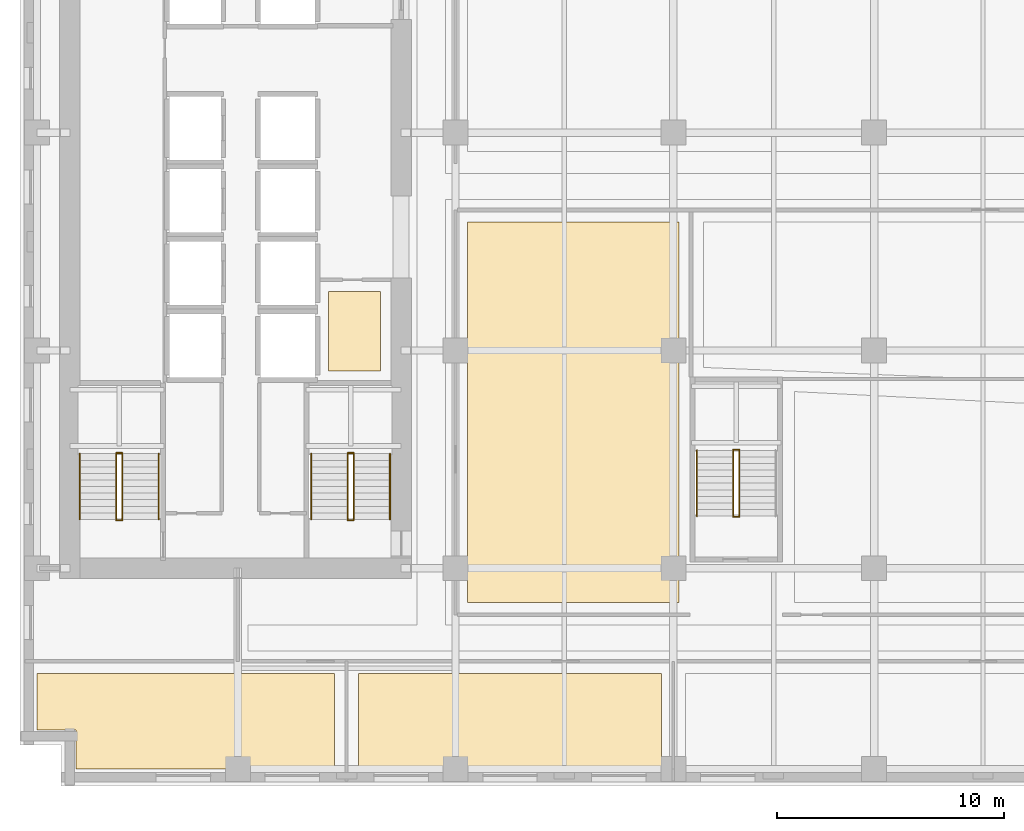
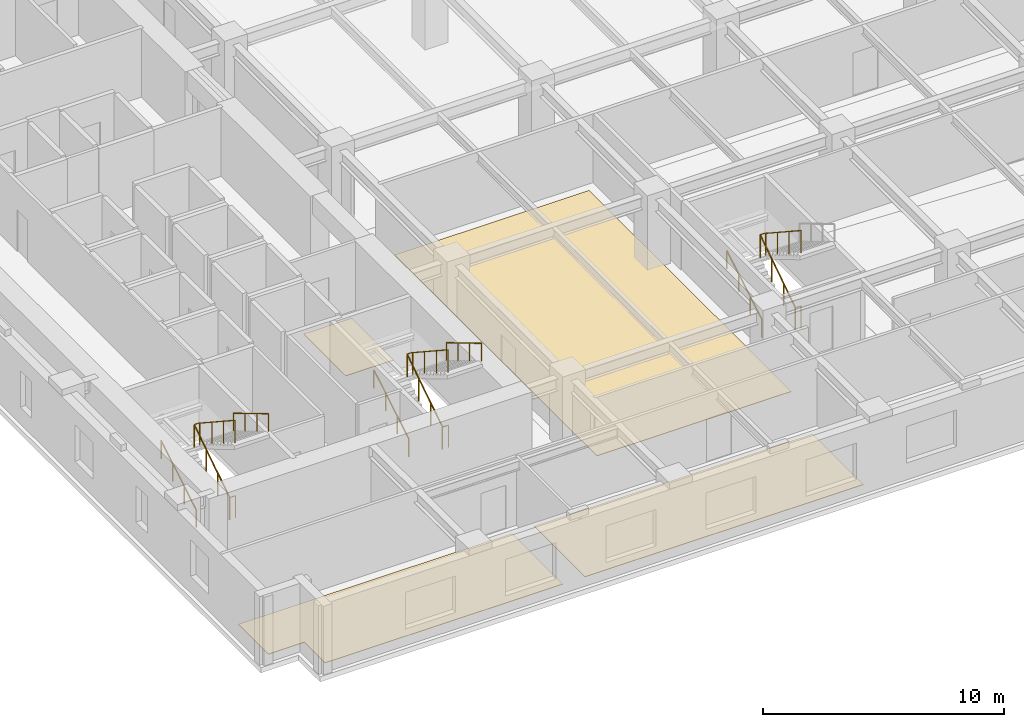
# One storey, part 11 of 15: 17 railings, 4 coverings.
"""IFC4 building model written with IfcOpenShell, lengths in metres."""

from ifc_helpers import new_model, si_unit, direction, frame, origin, origin_2d, place, context, subcontext, project, spatial, polyline, circle, outline, extrude, material, layer, layer_set, type_object, element, save


model = new_model("IFC4")

# Units and contexts
model_context = context("Model", 3, precision=1e-05, world=origin(), true_north=direction((0.0, 1.0)))
body_context = subcontext(model_context, "Body", "Model", "MODEL_VIEW")
ifc_project = project(units=[si_unit("LENGTHUNIT", "METRE"), si_unit("AREAUNIT", "SQUARE_METRE"), si_unit("VOLUMEUNIT", "CUBIC_METRE"), si_unit("PLANEANGLEUNIT", "RADIAN"), si_unit("MASSUNIT", "GRAM", prefix="KILO")], contexts=[model_context])

# Site, building, storey
site_placement = place(None, origin())
site = spatial("IfcSite", under=ifc_project, at=site_placement, CompositionType="ELEMENT")
building_placement = place(site_placement, origin())
building = spatial("IfcBuilding", under=site, at=building_placement, Name="Norrvale University Quadrangle", CompositionType="ELEMENT")
storey_placement = place(building_placement, frame((0.0, 0.0, 92.60009765625)))
storey = spatial("IfcBuildingStorey", under=building, at=storey_placement, Name="L23", CompositionType="ELEMENT", Elevation=92.60009765625)

# Coverings
ifc_material_1 = material(Name="Polished Terrazzo Flooring")
ifc_layer = layer(ifc_material_1, 0.02490234375, Name="Polished Terrazzo Flooring")
ifc_layer_set = layer_set([ifc_layer], Name="Polished Terrazzo Flooring")
covering_type = type_object("IfcCoveringType", Name="Covering Terrazzo Floor 30", PredefinedType="FLOORING", material=ifc_layer_set)
covering_1_placement = place(storey_placement, origin())
element("IfcCovering", 1, at=covering_1_placement, inside=storey, type_object=covering_type, Name="Terrazzo Flooring RM-L23-JAN", PredefinedType="FLOORING", context=body_context, shape_type="SweptSolid", body=[
    extrude(outline(polyline([(13.60009765625, 18.300048828125), (13.60009765625, 21.800048828125), (15.89990234375, 21.800048828125), (15.89990234375, 18.300048828125), (13.60009765625, 18.300048828125)])), origin(), (0.0, 0.0, 1.0), 0.02490234375),
])
covering_2_placement = place(storey_placement, origin())
element("IfcCovering", 2, at=covering_2_placement, inside=storey, type_object=covering_type, Name="Terrazzo Flooring RM-L23-S01", PredefinedType="FLOORING", context=body_context, shape_type="SweptSolid", body=[
    extrude(outline(polyline([(0.75, 4.969970703125), (13.8701171875, 4.969970703125), (13.8701171875, 0.75), (2.469970703125, 0.75), (2.469970703125, 2.469970703125), (0.75, 2.469970703125), (0.75, 4.969970703125)])), origin(), (0.0, 0.0, 1.0), 0.02490234375),
])
covering_3_placement = place(storey_placement, origin())
element("IfcCovering", 3, at=covering_3_placement, inside=storey, type_object=covering_type, Name="Terrazzo Flooring RM-L23-S02", PredefinedType="FLOORING", context=body_context, shape_type="SweptSolid", body=[
    extrude(outline(polyline([(14.929931640625, 4.969970703125), (28.27001953125, 4.969970703125), (28.27001953125, 0.75), (14.929931640625, 0.75), (14.929931640625, 4.969970703125)])), origin(), (0.0, 0.0, 1.0), 0.02490234375),
])
covering_4_placement = place(storey_placement, origin())
element("IfcCovering", 4, at=covering_4_placement, inside=storey, type_object=covering_type, Name="Terrazzo Flooring RM-L23-IW1", PredefinedType="FLOORING", context=body_context, shape_type="SweptSolid", body=[
    extrude(outline(polyline([(19.72998046875, 8.080078125), (19.72998046875, 24.8701171875), (29.050048828125, 24.8701171875), (29.050048828125, 8.080078125), (19.72998046875, 8.080078125)])), origin(), (0.0, 0.0, 1.0), 0.02490234375),
])

# Railings
ifc_material_2 = material(Name="Steel 350W Painted Balustrade", Category="steel")
railing_type_1 = type_object("IfcRailingType", Name="Railing Stair Guard 1100", PredefinedType="GUARDRAIL", material=ifc_material_2)
for number, where, name in (
    (5, (4.239990234375, 11.719970703125, 0.0), "Stair Floor Well Guard ST-01 L23"),
    (6, (4.239990234375, 14.679931640625, 1.89990234375), "Stair Mid-Landing Slot Guard ST-01 L23"),
):
    element("IfcRailing", number, at=place(storey_placement, frame(where)), inside=storey, type_object=railing_type_1, Name=name, PredefinedType="GUARDRAIL", context=body_context, shape_type="SweptSolid", body=[
        extrude(circle(Radius=0.02392578125, at=origin_2d()), frame((0.0, 0.0, 1.1259765625), z_axis=(1.0, 0.0, 0.0), x_axis=(0.0, 1.0, 0.0)), (0.0, 0.0, 1.0), 0.27001953125),
        extrude(circle(Radius=0.02099609375, at=origin_2d()), origin(), (0.0, 0.0, 1.0), 1.101806640625),
        extrude(circle(Radius=0.02099609375, at=origin_2d()), frame((0.27001953125, 0.0, 0.0)), (0.0, 0.0, 1.0), 1.101806640625),
    ])
railing_1_placement = place(storey_placement, frame((4.239990234375, 11.75, 0.0)))
element("IfcRailing", 7, at=railing_1_placement, inside=storey, type_object=railing_type_1, Name="Stair Lower Flight Inner Guard ST-01 L23", PredefinedType="GUARDRAIL", context=body_context, shape_type="SweptSolid", body=[
    extrude(circle(Radius=0.02392578125, at=origin_2d()), frame((0.0, 0.0, 1.1259765625), z_axis=(0.0, 0.836465582154, 0.548019461216), x_axis=(-1.0, 0.0, 0.0)), (0.0, 0.0, 1.0), 3.466796875),
    extrude(circle(Radius=0.02099609375, at=origin_2d()), origin(), (0.0, 0.0, 1.0), 1.101806640625),
    extrude(circle(Radius=0.02099609375, at=origin_2d()), frame((0.0, 0.966552734375, 0.63330078125)), (0.0, 0.0, 1.0), 1.101806640625),
    extrude(circle(Radius=0.02099609375, at=origin_2d()), frame((0.0, 1.933349609375, 1.2666015625)), (0.0, 0.0, 1.0), 1.101806640625),
    extrude(circle(Radius=0.02099609375, at=origin_2d()), frame((0.0, 2.89990234375, 1.89990234375)), (0.0, 0.0, 1.0), 1.101806640625),
])
railing_2_placement = place(storey_placement, frame((4.510009765625, 14.64990234375, 1.89990234375)))
element("IfcRailing", 8, at=railing_2_placement, inside=storey, type_object=railing_type_1, Name="Stair Upper Flight Inner Guard ST-01 L23", PredefinedType="GUARDRAIL", context=body_context, shape_type="SweptSolid", body=[
    extrude(circle(Radius=0.02392578125, at=origin_2d()), frame((0.0, 0.0, 1.1259765625), z_axis=(0.0, -0.836465582154, 0.548019461216), x_axis=(1.0, 0.0, 0.0)), (0.0, 0.0, 1.0), 3.466796875),
    extrude(circle(Radius=0.02099609375, at=origin_2d()), origin(), (0.0, 0.0, 1.0), 1.101806640625),
    extrude(circle(Radius=0.02099609375, at=origin_2d()), frame((0.0, -0.966552734375, 0.63330078125)), (0.0, 0.0, 1.0), 1.101806640625),
    extrude(circle(Radius=0.02099609375, at=origin_2d()), frame((0.0, -1.933349609375, 1.2666015625)), (0.0, 0.0, 1.0), 1.101806640625),
    extrude(circle(Radius=0.02099609375, at=origin_2d()), frame((0.0, -2.89990234375, 1.89990234375)), (0.0, 0.0, 1.0), 1.101806640625),
])
for number, where, name in (
    (9, (14.43994140625, 11.719970703125, 0.0), "Stair Floor Well Guard ST-03 L23"),
    (10, (14.43994140625, 14.679931640625, 1.89990234375), "Stair Mid-Landing Slot Guard ST-03 L23"),
):
    element("IfcRailing", number, at=place(storey_placement, frame(where)), inside=storey, type_object=railing_type_1, Name=name, PredefinedType="GUARDRAIL", context=body_context, shape_type="SweptSolid", body=[
        extrude(circle(Radius=0.02392578125, at=origin_2d()), frame((0.0, 0.0, 1.1259765625), z_axis=(1.0, 0.0, 0.0), x_axis=(0.0, 1.0, 0.0)), (0.0, 0.0, 1.0), 0.27001953125),
        extrude(circle(Radius=0.02099609375, at=origin_2d()), origin(), (0.0, 0.0, 1.0), 1.101806640625),
        extrude(circle(Radius=0.02099609375, at=origin_2d()), frame((0.27001953125, 0.0, 0.0)), (0.0, 0.0, 1.0), 1.101806640625),
    ])
railing_3_placement = place(storey_placement, frame((14.43994140625, 11.75, 0.0)))
element("IfcRailing", 11, at=railing_3_placement, inside=storey, type_object=railing_type_1, Name="Stair Lower Flight Inner Guard ST-03 L23", PredefinedType="GUARDRAIL", context=body_context, shape_type="SweptSolid", body=[
    extrude(circle(Radius=0.02392578125, at=origin_2d()), frame((0.0, 0.0, 1.1259765625), z_axis=(0.0, 0.836465582154, 0.548019461216), x_axis=(-1.0, 0.0, 0.0)), (0.0, 0.0, 1.0), 3.466796875),
    extrude(circle(Radius=0.02099609375, at=origin_2d()), origin(), (0.0, 0.0, 1.0), 1.101806640625),
    extrude(circle(Radius=0.02099609375, at=origin_2d()), frame((0.0, 0.966552734375, 0.63330078125)), (0.0, 0.0, 1.0), 1.101806640625),
    extrude(circle(Radius=0.02099609375, at=origin_2d()), frame((0.0, 1.933349609375, 1.2666015625)), (0.0, 0.0, 1.0), 1.101806640625),
    extrude(circle(Radius=0.02099609375, at=origin_2d()), frame((0.0, 2.89990234375, 1.89990234375)), (0.0, 0.0, 1.0), 1.101806640625),
])
railing_4_placement = place(storey_placement, frame((14.7099609375, 14.64990234375, 1.89990234375)))
element("IfcRailing", 12, at=railing_4_placement, inside=storey, type_object=railing_type_1, Name="Stair Upper Flight Inner Guard ST-03 L23", PredefinedType="GUARDRAIL", context=body_context, shape_type="SweptSolid", body=[
    extrude(circle(Radius=0.02392578125, at=origin_2d()), frame((0.0, 0.0, 1.1259765625), z_axis=(0.0, -0.836465582154, 0.548019461216), x_axis=(1.0, 0.0, 0.0)), (0.0, 0.0, 1.0), 3.466796875),
    extrude(circle(Radius=0.02099609375, at=origin_2d()), origin(), (0.0, 0.0, 1.0), 1.101806640625),
    extrude(circle(Radius=0.02099609375, at=origin_2d()), frame((0.0, -0.966552734375, 0.63330078125)), (0.0, 0.0, 1.0), 1.101806640625),
    extrude(circle(Radius=0.02099609375, at=origin_2d()), frame((0.0, -1.933349609375, 1.2666015625)), (0.0, 0.0, 1.0), 1.101806640625),
    extrude(circle(Radius=0.02099609375, at=origin_2d()), frame((0.0, -2.89990234375, 1.89990234375)), (0.0, 0.0, 1.0), 1.101806640625),
])
for number, where, name in (
    (13, (31.43994140625, 11.8701171875, 0.0), "Stair Floor Well Guard ST-04 L23"),
    (14, (31.43994140625, 14.830078125, 1.89990234375), "Stair Mid-Landing Slot Guard ST-04 L23"),
):
    element("IfcRailing", number, at=place(storey_placement, frame(where)), inside=storey, type_object=railing_type_1, Name=name, PredefinedType="GUARDRAIL", context=body_context, shape_type="SweptSolid", body=[
        extrude(circle(Radius=0.02392578125, at=origin_2d()), frame((0.0, 0.0, 1.1259765625), z_axis=(1.0, 0.0, 0.0), x_axis=(0.0, 1.0, 0.0)), (0.0, 0.0, 1.0), 0.27001953125),
        extrude(circle(Radius=0.02099609375, at=origin_2d()), origin(), (0.0, 0.0, 1.0), 1.101806640625),
        extrude(circle(Radius=0.02099609375, at=origin_2d()), frame((0.27001953125, 0.0, 0.0)), (0.0, 0.0, 1.0), 1.101806640625),
    ])
railing_5_placement = place(storey_placement, frame((31.43994140625, 11.89990234375, 0.0)))
element("IfcRailing", 15, at=railing_5_placement, inside=storey, type_object=railing_type_1, Name="Stair Lower Flight Inner Guard ST-04 L23", PredefinedType="GUARDRAIL", context=body_context, shape_type="SweptSolid", body=[
    extrude(circle(Radius=0.02392578125, at=origin_2d()), frame((0.0, 0.0, 1.1259765625), z_axis=(0.0, 0.836486729621, 0.547987181573), x_axis=(-1.0, 0.0, 0.0)), (0.0, 0.0, 1.0), 3.467041015625),
    extrude(circle(Radius=0.02099609375, at=origin_2d()), origin(), (0.0, 0.0, 1.0), 1.101806640625),
    extrude(circle(Radius=0.02099609375, at=origin_2d()), frame((0.0, 0.966796875, 0.63330078125)), (0.0, 0.0, 1.0), 1.101806640625),
    extrude(circle(Radius=0.02099609375, at=origin_2d()), frame((0.0, 1.933349609375, 1.2666015625)), (0.0, 0.0, 1.0), 1.101806640625),
    extrude(circle(Radius=0.02099609375, at=origin_2d()), frame((0.0, 2.900146484375, 1.89990234375)), (0.0, 0.0, 1.0), 1.101806640625),
])
railing_6_placement = place(storey_placement, frame((31.7099609375, 14.800048828125, 1.89990234375)))
element("IfcRailing", 16, at=railing_6_placement, inside=storey, type_object=railing_type_1, Name="Stair Upper Flight Inner Guard ST-04 L23", PredefinedType="GUARDRAIL", context=body_context, shape_type="SweptSolid", body=[
    extrude(circle(Radius=0.02392578125, at=origin_2d()), frame((0.0, 0.0, 1.1259765625), z_axis=(0.0, -0.836486729621, 0.547987181573), x_axis=(1.0, 0.0, 0.0)), (0.0, 0.0, 1.0), 3.467041015625),
    extrude(circle(Radius=0.02099609375, at=origin_2d()), origin(), (0.0, 0.0, 1.0), 1.101806640625),
    extrude(circle(Radius=0.02099609375, at=origin_2d()), frame((0.0, -0.966796875, 0.63330078125)), (0.0, 0.0, 1.0), 1.101806640625),
    extrude(circle(Radius=0.02099609375, at=origin_2d()), frame((0.0, -1.933349609375, 1.2666015625)), (0.0, 0.0, 1.0), 1.101806640625),
    extrude(circle(Radius=0.02099609375, at=origin_2d()), frame((0.0, -2.900146484375, 1.89990234375)), (0.0, 0.0, 1.0), 1.101806640625),
])
ifc_material_3 = material(Name="Stainless Steel 316L Handrail", Category="steel")
railing_type_2 = type_object("IfcRailingType", Name="Railing Stair Handrail 920", PredefinedType="HANDRAIL", material=ifc_material_3)
railing_7_placement = place(storey_placement, frame((2.639892578125, 11.75, 0.172607421875)))
element("IfcRailing", 17, at=railing_7_placement, inside=storey, type_object=railing_type_2, Name="Stair Lower Flight Handrail ST-01 L23", PredefinedType="HANDRAIL", context=body_context, shape_type="SweptSolid", body=[
    extrude(circle(Radius=0.02392578125, at=origin_2d()), frame((0.0, 0.0, 0.89599609375), z_axis=(0.0, 0.859141464434, 0.511738159696), x_axis=(-1.0, 0.0, 0.0)), (0.0, 0.0, 1.0), 3.375244140625),
    extrude(circle(Radius=0.02099609375, at=origin_2d()), origin(), (0.0, 0.0, 1.0), 0.871826171875),
    extrude(circle(Radius=0.02099609375, at=origin_2d()), frame((0.0, 0.966552734375, 0.57568359375)), (0.0, 0.0, 1.0), 0.871826171875),
    extrude(circle(Radius=0.02099609375, at=origin_2d()), frame((0.0, 1.933349609375, 1.151611328125)), (0.0, 0.0, 1.0), 0.871826171875),
    extrude(circle(Radius=0.02099609375, at=origin_2d()), frame((0.0, 2.89990234375, 1.727294921875)), (0.0, 0.0, 1.0), 0.871826171875),
])
railing_8_placement = place(storey_placement, frame((6.110107421875, 14.64990234375, 2.072509765625)))
element("IfcRailing", 18, at=railing_8_placement, inside=storey, type_object=railing_type_2, Name="Stair Upper Flight Handrail ST-01 L23", PredefinedType="HANDRAIL", context=body_context, shape_type="SweptSolid", body=[
    extrude(circle(Radius=0.02392578125, at=origin_2d()), frame((0.0, 0.0, 0.89599609375), z_axis=(0.0, -0.859141464434, 0.511738159696), x_axis=(1.0, 0.0, 0.0)), (0.0, 0.0, 1.0), 3.375244140625),
    extrude(circle(Radius=0.02099609375, at=origin_2d()), origin(), (0.0, 0.0, 1.0), 0.871826171875),
    extrude(circle(Radius=0.02099609375, at=origin_2d()), frame((0.0, -0.966552734375, 0.57568359375)), (0.0, 0.0, 1.0), 0.871826171875),
    extrude(circle(Radius=0.02099609375, at=origin_2d()), frame((0.0, -1.933349609375, 1.151611328125)), (0.0, 0.0, 1.0), 0.871826171875),
    extrude(circle(Radius=0.02099609375, at=origin_2d()), frame((0.0, -2.89990234375, 1.727294921875)), (0.0, 0.0, 1.0), 0.871826171875),
])
railing_9_placement = place(storey_placement, frame((12.840087890625, 11.75, 0.172607421875)))
element("IfcRailing", 19, at=railing_9_placement, inside=storey, type_object=railing_type_2, Name="Stair Lower Flight Handrail ST-03 L23", PredefinedType="HANDRAIL", context=body_context, shape_type="SweptSolid", body=[
    extrude(circle(Radius=0.02392578125, at=origin_2d()), frame((0.0, 0.0, 0.89599609375), z_axis=(0.0, 0.859141464434, 0.511738159696), x_axis=(-1.0, 0.0, 0.0)), (0.0, 0.0, 1.0), 3.375244140625),
    extrude(circle(Radius=0.02099609375, at=origin_2d()), origin(), (0.0, 0.0, 1.0), 0.871826171875),
    extrude(circle(Radius=0.02099609375, at=origin_2d()), frame((0.0, 0.966552734375, 0.57568359375)), (0.0, 0.0, 1.0), 0.871826171875),
    extrude(circle(Radius=0.02099609375, at=origin_2d()), frame((0.0, 1.933349609375, 1.151611328125)), (0.0, 0.0, 1.0), 0.871826171875),
    extrude(circle(Radius=0.02099609375, at=origin_2d()), frame((0.0, 2.89990234375, 1.727294921875)), (0.0, 0.0, 1.0), 0.871826171875),
])
railing_10_placement = place(storey_placement, frame((16.31005859375, 14.64990234375, 2.072509765625)))
element("IfcRailing", 20, at=railing_10_placement, inside=storey, type_object=railing_type_2, Name="Stair Upper Flight Handrail ST-03 L23", PredefinedType="HANDRAIL", context=body_context, shape_type="SweptSolid", body=[
    extrude(circle(Radius=0.02392578125, at=origin_2d()), frame((0.0, 0.0, 0.89599609375), z_axis=(0.0, -0.859141464434, 0.511738159696), x_axis=(1.0, 0.0, 0.0)), (0.0, 0.0, 1.0), 3.375244140625),
    extrude(circle(Radius=0.02099609375, at=origin_2d()), origin(), (0.0, 0.0, 1.0), 0.871826171875),
    extrude(circle(Radius=0.02099609375, at=origin_2d()), frame((0.0, -0.966552734375, 0.57568359375)), (0.0, 0.0, 1.0), 0.871826171875),
    extrude(circle(Radius=0.02099609375, at=origin_2d()), frame((0.0, -1.933349609375, 1.151611328125)), (0.0, 0.0, 1.0), 0.871826171875),
    extrude(circle(Radius=0.02099609375, at=origin_2d()), frame((0.0, -2.89990234375, 1.727294921875)), (0.0, 0.0, 1.0), 0.871826171875),
])
railing_11_placement = place(storey_placement, frame((29.840087890625, 11.89990234375, 0.172607421875)))
element("IfcRailing", 21, at=railing_11_placement, inside=storey, type_object=railing_type_2, Name="Stair Lower Flight Handrail ST-04 L23", PredefinedType="HANDRAIL", context=body_context, shape_type="SweptSolid", body=[
    extrude(circle(Radius=0.02392578125, at=origin_2d()), frame((0.0, 0.0, 0.89599609375), z_axis=(0.0, 0.859160404282, 0.51170636083), x_axis=(-1.0, 0.0, 0.0)), (0.0, 0.0, 1.0), 3.37548828125),
    extrude(circle(Radius=0.02099609375, at=origin_2d()), origin(), (0.0, 0.0, 1.0), 0.871826171875),
    extrude(circle(Radius=0.02099609375, at=origin_2d()), frame((0.0, 0.966796875, 0.57568359375)), (0.0, 0.0, 1.0), 0.871826171875),
    extrude(circle(Radius=0.02099609375, at=origin_2d()), frame((0.0, 1.933349609375, 1.151611328125)), (0.0, 0.0, 1.0), 0.871826171875),
    extrude(circle(Radius=0.02099609375, at=origin_2d()), frame((0.0, 2.900146484375, 1.727294921875)), (0.0, 0.0, 1.0), 0.871826171875),
])

save(model, "model.ifc")
